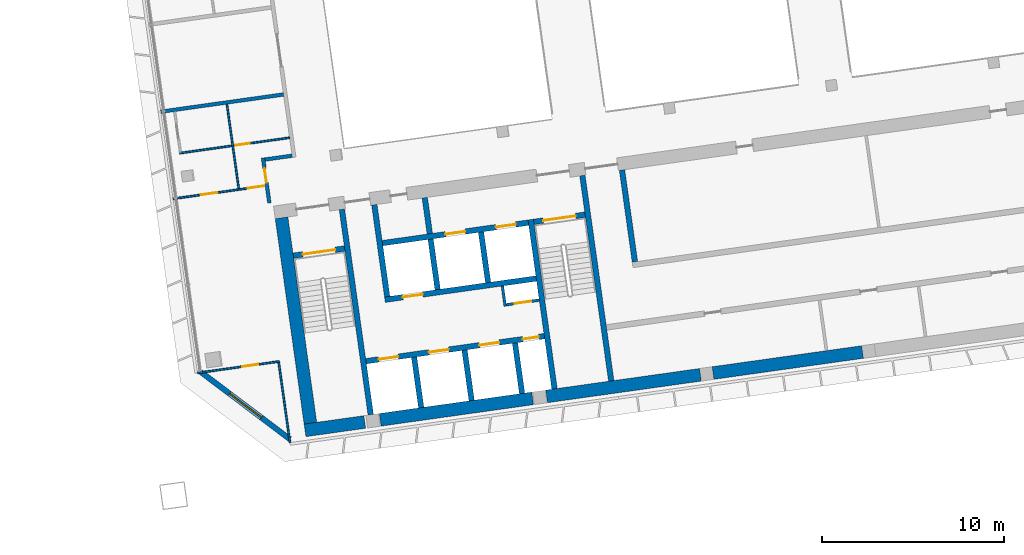
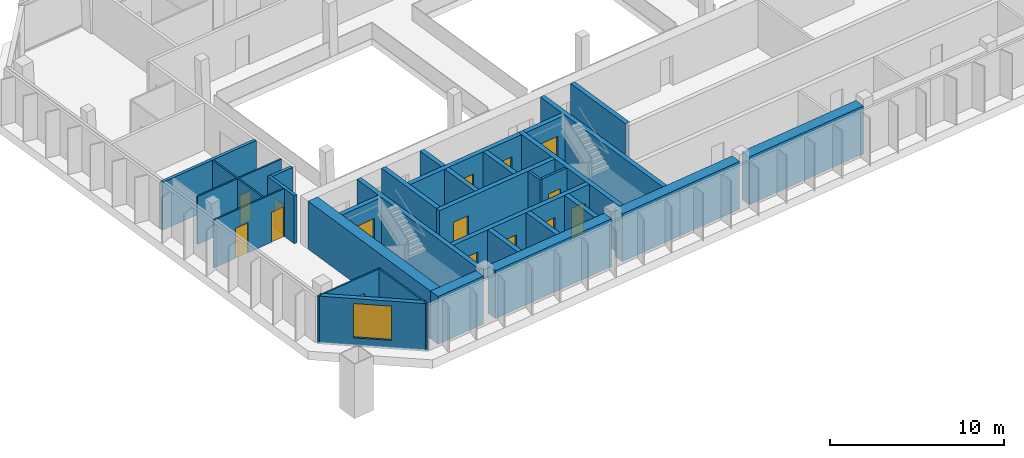
# One storey, part 22 of 32: 32 walls, 15 doors, 1 window, 16 openings.
"""IFC4 building model written with IfcOpenShell, lengths in metres."""

import ifcopenshell
import ifcopenshell.guid

model = None  # the IFC model being written
_history = None  # IfcOwnerHistory: only IFC2X3 demands one
_inside = {}  # id of a spatial element -> (the spatial element, [elements in it])
_under = {}  # id of a project, library or spatial element -> (it, [spatial elements below it])
_declared = {}  # id of a project -> (the project, [libraries it declares])
_typed = {}  # id of a type object -> (the type object, [elements of that type])
_made_of = {}  # id of a material, layer set ... -> (it, [elements and type objects made of it])


def new_model(schema):
    """Start an empty IFC model of exactly this schema.

    Asked for "IFC4X3", IfcOpenShell would pick the latest addendum, in which some entities
    have other attributes; the version numbers below select the first issue.
    IFC2X3 requires an IfcOwnerHistory on every rooted entity: one is made here for all.
    """
    global model, _history
    if schema == "IFC4X3":
        model = ifcopenshell.file(schema_version=(4, 3, 0, 0))
    else:
        model = ifcopenshell.file(schema=schema)
    _inside.clear()
    _under.clear()
    _declared.clear()
    _typed.clear()
    _made_of.clear()
    _history = None
    if model.schema == "IFC2X3":
        org = make("IfcOrganization", Name="unknown")
        user = make(
            "IfcPersonAndOrganization",
            ThePerson=make("IfcPerson", FamilyName="unknown"),
            TheOrganization=org,
        )
        app = make(
            "IfcApplication",
            ApplicationDeveloper=org,
            Version="unknown",
            ApplicationFullName="unknown",
            ApplicationIdentifier="unknown",
        )
        _history = make(
            "IfcOwnerHistory",
            OwningUser=user,
            OwningApplication=app,
            ChangeAction="ADDED",
            CreationDate=0,
        )
    return model


def make(cls, **values):
    """One entity of the class cls with the attributes given. An attribute that is None is left unset."""
    return model.create_entity(
        cls, **{name: value for name, value in values.items() if value is not None}
    )


def rooted(cls, **values):
    """An entity with a GlobalId (a new one), such as an element, a storey or a relation."""
    return make(cls, GlobalId=ifcopenshell.guid.new(), OwnerHistory=_history, **values)


def si_unit(unit_type, name, prefix=None):
    """IfcSIUnit, for example si_unit("LENGTHUNIT", "METRE", prefix="MILLI")."""
    return make("IfcSIUnit", UnitType=unit_type, Prefix=prefix, Name=name)


def assignment(units):
    """IfcUnitAssignment: the units of a project."""
    return None if units is None else make("IfcUnitAssignment", Units=units)


def point(xyz):
    """IfcCartesianPoint."""
    return None if xyz is None else make("IfcCartesianPoint", Coordinates=xyz)


def direction(xyz):
    """IfcDirection."""
    return None if xyz is None else make("IfcDirection", DirectionRatios=xyz)


def frame(location, z_axis=None, x_axis=None):
    """IfcAxis2Placement3D, a coordinate frame: its origin and axes. An axis left out is left unset."""
    return make(
        "IfcAxis2Placement3D",
        Location=point(location),
        Axis=direction(z_axis),
        RefDirection=direction(x_axis),
    )


def frame_2d(location, x_axis=None):
    """IfcAxis2Placement2D, a coordinate frame in the plane: its origin and x axis."""
    return make(
        "IfcAxis2Placement2D", Location=point(location), RefDirection=direction(x_axis)
    )


def origin():
    """The frame at (0, 0, 0) with its axes left unset."""
    return frame((0.0, 0.0, 0.0))


def place(relative_to, where):
    """IfcLocalPlacement: puts the frame where relative to a parent placement (None: the world)."""
    return make(
        "IfcLocalPlacement", PlacementRelTo=relative_to, RelativePlacement=where
    )


def context(
    kind, dimensions, precision=None, world=None, true_north=None, identifier=None
):
    """IfcGeometricRepresentationContext, for example the 3D "Model" context."""
    return make(
        "IfcGeometricRepresentationContext",
        ContextIdentifier=identifier,
        ContextType=kind,
        CoordinateSpaceDimension=dimensions,
        Precision=precision,
        WorldCoordinateSystem=world,
        TrueNorth=true_north,
    )


def subcontext(parent, identifier, kind, view, scale=None):
    """IfcGeometricRepresentationSubContext, for example "Body" below "Model"."""
    return make(
        "IfcGeometricRepresentationSubContext",
        ContextIdentifier=identifier,
        ContextType=kind,
        ParentContext=parent,
        TargetScale=scale,
        TargetView=view,
    )


def project(units=None, contexts=None):
    """IfcProject with its units and contexts."""
    return rooted(
        "IfcProject",
        Name="project",
        RepresentationContexts=contexts,
        UnitsInContext=assignment(units),
    )


def spatial(cls, under=None, at=None, **own):
    """A site, building, storey or space (cls), placed at a placement, below another one or the project."""
    s = rooted(cls, ObjectPlacement=at, **own)
    if under is not None:
        _under.setdefault(under.id(), (under, []))[1].append(s)
    return s


def profile(cls, at=None, kind="AREA", **sizes):
    """A parametric profile (cls). Its sizes go by their IFC names, for example OverallWidth=200.0."""
    return make(cls, ProfileType=kind, Position=at, **sizes)


def rectangle(**sizes):
    """IfcRectangleProfileDef."""
    return profile("IfcRectangleProfileDef", **sizes)


def extrude(swept, where, along, depth):
    """IfcExtrudedAreaSolid: the profile swept, set in the frame where, extruded along a direction by depth."""
    return make(
        "IfcExtrudedAreaSolid",
        SweptArea=swept,
        Position=where,
        ExtrudedDirection=direction(along),
        Depth=depth,
    )


def shape(context_of_items, identifier, shape_type, items):
    """IfcShapeRepresentation: the items that make up one representation, for example the "Body"."""
    return make(
        "IfcShapeRepresentation",
        ContextOfItems=context_of_items,
        RepresentationIdentifier=identifier,
        RepresentationType=shape_type,
        Items=items,
    )


def material(Name=None, Category=None):
    """IfcMaterial."""
    return make("IfcMaterial", Name=Name, Category=Category)


def layer(
    of_material, thickness, ventilated=None, Name=None, Category=None, Priority=None
):
    """IfcMaterialLayer: one layer of a wall or slab, of a material (None: an air gap)."""
    return make(
        "IfcMaterialLayer",
        Material=of_material,
        LayerThickness=thickness,
        IsVentilated=ventilated,
        Name=Name,
        Category=Category,
        Priority=Priority,
    )


def layer_set(layers, Name=None):
    """IfcMaterialLayerSet."""
    return make("IfcMaterialLayerSet", MaterialLayers=layers, LayerSetName=Name)


def made_of(thing, what):
    """Note that an element or type object is made of a material, layer set ...; save() writes the relation."""
    if what is not None:
        _made_of.setdefault(what.id(), (what, []))[1].append(thing)
    return thing


def type_object(cls, material=None, **own):
    """A type object (cls), such as IfcWallType, which elements share."""
    return made_of(rooted(cls, **own), material)


def element(
    cls,
    number,
    at=None,
    inside=None,
    cuts=None,
    type_object=None,
    material=None,
    context=None,
    identifier="Body",
    shape_type=None,
    held_by="IfcProductDefinitionShape",
    body=None,
    shapes=None,
    **own,
):
    """One element of the class cls, such as IfcWall. Its Tag is "e" and its number.

    at: its placement. inside: the storey or other place that contains it. cuts: it is an
    opening in that element (IfcRelVoidsElement). A single representation is given by context,
    identifier, shape_type and body (its items); several are given by shapes. held_by: the class
    of the entity that holds the representations. save() writes the other relations.
    """
    e = rooted(cls, Tag="e%d" % number, ObjectPlacement=at, **own)
    if body is not None:
        shapes = [shape(context, identifier, shape_type, body)]
    if shapes is not None:
        e.Representation = make(held_by, Representations=shapes)
    if inside is not None:
        _inside.setdefault(inside.id(), (inside, []))[1].append(e)
    if cuts is not None:
        rooted(
            "IfcRelVoidsElement", RelatingBuildingElement=cuts, RelatedOpeningElement=e
        )
    if type_object is not None:
        _typed.setdefault(type_object.id(), (type_object, []))[1].append(e)
    return made_of(e, material)


def fill(opening, filler):
    """IfcRelFillsElement: the door or window that sits in an opening."""
    return rooted(
        "IfcRelFillsElement",
        RelatingOpeningElement=opening,
        RelatedBuildingElement=filler,
    )


def aggregate(whole, parts):
    """IfcRelAggregates: a whole, such as a stair, and the parts it consists of."""
    return rooted("IfcRelAggregates", RelatingObject=whole, RelatedObjects=parts)


def save(model, path):
    """Write the relations noted so far, then the file.

    IfcRelAggregates (storeys below a building ...), IfcRelContainedInSpatialStructure (elements
    in a storey), IfcRelDefinesByType, IfcRelAssociatesMaterial and IfcRelDeclares: one each for
    every whole, place, type object, material and project.
    """
    for whole, parts in _under.values():
        aggregate(whole, parts)
    for where, things in _inside.values():
        rooted(
            "IfcRelContainedInSpatialStructure",
            RelatedElements=things,
            RelatingStructure=where,
        )
    for kind, things in _typed.values():
        rooted("IfcRelDefinesByType", RelatedObjects=things, RelatingType=kind)
    for what, things in _made_of.values():
        rooted("IfcRelAssociatesMaterial", RelatedObjects=things, RelatingMaterial=what)
    for by, libraries in _declared.values():
        rooted("IfcRelDeclares", RelatingContext=by, RelatedDefinitions=libraries)
    model.write(path)


model = new_model("IFC4")

# Units and contexts
model_context = context("Model", 3, precision=1e-05, world=origin(), true_north=direction((0.0, 1.0)))
body_context = subcontext(model_context, "Body", "Model", "MODEL_VIEW")
ifc_project = project(units=[si_unit("LENGTHUNIT", "METRE"), si_unit("AREAUNIT", "SQUARE_METRE"), si_unit("VOLUMEUNIT", "CUBIC_METRE"), si_unit("PLANEANGLEUNIT", "RADIAN"), si_unit("MASSUNIT", "GRAM", prefix="KILO")], contexts=[model_context])

# Site, building, storey
site_placement = place(None, origin())
site = spatial("IfcSite", under=ifc_project, at=site_placement, CompositionType="ELEMENT")
building_placement = place(site_placement, origin())
building = spatial("IfcBuilding", under=site, at=building_placement, Name="Mirante Cascada Hotel Towers", CompositionType="ELEMENT")
storey_placement = place(building_placement, frame((0.0, 0.0, 176.4)))
storey = spatial("IfcBuildingStorey", under=building, at=storey_placement, Name="L41", CompositionType="ELEMENT", Elevation=176.4)

# Walls
ifc_material_1 = material(Name="Fire-rated plasterboard on metal studs")
ifc_layer_1 = layer(ifc_material_1, 0.2)
ifc_layer_set_1 = layer_set([ifc_layer_1], Name="Compartment wall 200 EI 120")
wall_type_1 = type_object("IfcWallType", Name="Compartment wall 200 EI 120", PredefinedType="PARTITIONING", material=ifc_layer_set_1)
wall_1_placement = place(storey_placement, frame((35.0284, -4.7267, 0.0), z_axis=(0.0, 0.0, 1.0), x_axis=(0.9902735, 0.1391343, 0.0)))
element("IfcWall", 1, at=wall_1_placement, inside=storey, type_object=wall_type_1, Name="Wall 2-L41-06", PredefinedType="PARTITIONING", context=body_context, shape_type="SweptSolid", body=[
    extrude(rectangle(XDim=1.5, YDim=0.2, at=frame_2d((0.75, 0.0))), origin(), (0.0, 0.0, 1.0), 3.35),
])
wall_2_placement = place(storey_placement, frame((29.2967, -2.0988, 0.0), z_axis=(0.0, 0.0, 1.0), x_axis=(0.9902679, 0.1391741, 0.0)))
element("IfcWall", 2, at=wall_2_placement, inside=storey, type_object=wall_type_1, Name="Wall 2-L41-08", PredefinedType="PARTITIONING", context=body_context, shape_type="SweptSolid", body=[
    extrude(rectangle(XDim=6.8102, YDim=0.2, at=frame_2d((3.4051, 0.0))), origin(), (0.0, 0.0, 1.0), 3.35),
])

# Wall, opening, door
wall_3_placement = place(storey_placement, frame((34.9155, -4.6416, 0.0), z_axis=(0.0, 0.0, 1.0), x_axis=(0.1391586, -0.9902701, 0.0)))
wall_3 = element("IfcWall", 3, at=wall_3_placement, inside=storey, type_object=wall_type_1, Name="Wall 2-L41-33", PredefinedType="PARTITIONING", context=body_context, shape_type="SweptSolid", body=[
    extrude(rectangle(XDim=2.5, YDim=0.2, at=frame_2d((1.25, 0.0))), origin(), (0.0, 0.0, 1.0), 3.35),
])
opening_1_placement = place(wall_3_placement, frame((0.5833, 0.0, 0.0)))
opening_1 = element("IfcOpeningElement", 4, at=opening_1_placement, cuts=wall_3, Name="Opening D2-L41-25", PredefinedType="OPENING", context=body_context, shape_type="SweptSolid", body=[
    extrude(rectangle(XDim=0.8, YDim=2.1, at=frame_2d((0.4, 1.05))), frame((0.0, 0.1, 0.0), z_axis=(0.0, -1.0, 0.0), x_axis=(1.0, 0.0, 0.0)), (0.0, 0.0, 1.0), 0.2),
])
ifc_material_2 = material(Name="Fire-rated timber door leaf", Category="wood")
door_type_1 = type_object("IfcDoorType", Name="Bathroom door DG4 800x2100 EI 60", OperationType="SINGLE_SWING_LEFT", PredefinedType="DOOR", material=ifc_material_2)
door_1_placement = place(opening_1_placement, origin())
door_1 = element("IfcDoor", 5, at=door_1_placement, inside=storey, type_object=door_type_1, Name="Door D2-L41-25", OperationType="SINGLE_SWING_LEFT", OverallHeight=2.1, OverallWidth=0.8, PredefinedType="DOOR", context=body_context, shape_type="SweptSolid", body=[
    extrude(rectangle(XDim=0.8, YDim=2.1, at=frame_2d((0.4, 1.05))), frame((0.0, 0.025, 0.0), z_axis=(0.0, -1.0, 0.0), x_axis=(1.0, 0.0, 0.0)), (0.0, 0.0, 1.0), 0.05),
])
fill(opening_1, door_1)

# Wall
ifc_material_3 = material(Name="Masonry block", Category="masonry")
ifc_layer_2 = layer(ifc_material_3, 0.15)
ifc_layer_set_2 = layer_set([ifc_layer_2], Name="Core room partition 150 block EI 30")
wall_type_2 = type_object("IfcWallType", Name="Core room partition 150 block EI 30", PredefinedType="PARTITIONING", material=ifc_layer_set_2)
wall_4_placement = place(storey_placement, frame((48.2295, -12.793, 0.0), z_axis=(0.0, 0.0, 1.0), x_axis=(-0.1391935, 0.9902652, 0.0)))
element("IfcWall", 6, at=wall_4_placement, inside=storey, type_object=wall_type_2, Name="Core wall partition T2 L41 2", PredefinedType="PARTITIONING", context=body_context, shape_type="SweptSolid", body=[
    extrude(rectangle(XDim=1.1251, YDim=0.15, at=frame_2d((0.5626, 0.0))), origin(), (0.0, 0.0, 1.0), 3.35),
])

# Wall, opening, door
wall_5_placement = place(storey_placement, frame((48.2933, -12.7083, 0.0), z_axis=(0.0, 0.0, 1.0), x_axis=(0.990268, 0.1391734, 0.0)))
wall_5 = element("IfcWall", 7, at=wall_5_placement, inside=storey, type_object=wall_type_2, Name="Core wall partition T2 L41 3", PredefinedType="PARTITIONING", context=body_context, shape_type="SweptSolid", body=[
    extrude(rectangle(XDim=1.8251, YDim=0.15, at=frame_2d((0.9126, 0.0))), origin(), (0.0, 0.0, 1.0), 3.35),
])
opening_2_placement = place(wall_5_placement, frame((0.4625, 0.0, 0.0)))
opening_2 = element("IfcOpeningElement", 8, at=opening_2_placement, cuts=wall_5, Name="Opening D2-41-C17", PredefinedType="OPENING", context=body_context, shape_type="SweptSolid", body=[
    extrude(rectangle(XDim=0.9, YDim=2.1, at=frame_2d((0.45, 1.05))), frame((0.0, 0.075, 0.0), z_axis=(0.0, -1.0, 0.0), x_axis=(1.0, 0.0, 0.0)), (0.0, 0.0, 1.0), 0.15),
])
ifc_material_4 = material(Name="Hollow metal fire door leaf")
door_type_2 = type_object("IfcDoorType", Name="Fire door 900x2100 FD60", OperationType="NOTDEFINED", PredefinedType="DOOR", material=ifc_material_4)
door_2_placement = place(opening_2_placement, frame((0.9, 0.0, 0.0), z_axis=(0.0, 0.0, 1.0), x_axis=(-1.0, 0.0, 0.0)))
door_2 = element("IfcDoor", 9, at=door_2_placement, inside=storey, type_object=door_type_2, Name="Riser door T2 L41 17", OperationType="SINGLE_SWING_RIGHT", OverallHeight=2.1, OverallWidth=0.9, PredefinedType="DOOR", context=body_context, shape_type="SweptSolid", body=[
    extrude(rectangle(XDim=0.9, YDim=2.1, at=frame_2d((0.45, 1.05))), frame((0.0, 0.025, 0.0), z_axis=(0.0, -1.0, 0.0), x_axis=(1.0, 0.0, 0.0)), (0.0, 0.0, 1.0), 0.05),
])
fill(opening_2, door_2)

# Wall
ifc_material_5 = material(Name="Masonry block", Category="masonry")
ifc_layer_3 = layer(ifc_material_5, 0.3)
ifc_layer_set_3 = layer_set([ifc_layer_3], Name="Core wall 300 block EI 120")
wall_type_3 = type_object("IfcWallType", Name="Core wall 300 block EI 120", PredefinedType="PARTITIONING", material=ifc_layer_set_3)
wall_6_placement = place(storey_placement, frame((44.0843, -8.8061, 0.0), z_axis=(0.0, 0.0, 1.0), x_axis=(-0.1391951, 0.990265, 0.0)))
element("IfcWall", 10, at=wall_6_placement, inside=storey, type_object=wall_type_3, Name="Core wall partition T2 L41 1", PredefinedType="PARTITIONING", context=body_context, shape_type="SweptSolid", body=[
    extrude(rectangle(XDim=2.0001, YDim=0.3, at=frame_2d((1.0001, 0.0))), origin(), (0.0, 0.0, 1.0), 3.35),
])

# Wall, opening, door
ifc_material_6 = material(Name="Plasterboard on metal studs")
ifc_layer_4 = layer(ifc_material_6, 0.1)
ifc_layer_set_4 = layer_set([ifc_layer_4], Name="Partition 100")
wall_type_4 = type_object("IfcWallType", Name="Partition 100", PredefinedType="PARTITIONING", material=ifc_layer_set_4)
wall_7_placement = place(storey_placement, frame((35.8204, -15.8245, 0.0), z_axis=(0.0, 0.0, 1.0), x_axis=(-0.9902691, -0.1391656, 0.0)))
wall_7 = element("IfcWall", 11, at=wall_7_placement, inside=storey, type_object=wall_type_4, Name="Wall 2-L41-01", PredefinedType="PARTITIONING", context=body_context, shape_type="SweptSolid", body=[
    extrude(rectangle(XDim=4.55, YDim=0.1, at=frame_2d((2.275, 0.0))), origin(), (0.0, 0.0, 1.0), 3.35),
])
opening_3_placement = place(wall_7_placement, frame((1.1759, 0.0, 0.0)))
opening_3 = element("IfcOpeningElement", 12, at=opening_3_placement, cuts=wall_7, Name="Opening D2-L41-01", PredefinedType="OPENING", context=body_context, shape_type="SweptSolid", body=[
    extrude(rectangle(XDim=0.9, YDim=2.1, at=frame_2d((0.45, 1.05))), frame((0.0, 0.05, 0.0), z_axis=(0.0, -1.0, 0.0), x_axis=(1.0, 0.0, 0.0)), (0.0, 0.0, 1.0), 0.1),
])
ifc_material_7 = material(Name="Timber door leaf", Category="wood")
door_type_3 = type_object("IfcDoorType", Name="Room door DG3 900x2100", OperationType="SINGLE_SWING_LEFT", PredefinedType="DOOR", material=ifc_material_7)
door_3_placement = place(opening_3_placement, frame((0.9, 0.0, 0.0), z_axis=(0.0, 0.0, 1.0), x_axis=(-1.0, 0.0, 0.0)))
door_3 = element("IfcDoor", 13, at=door_3_placement, inside=storey, type_object=door_type_3, Name="Door D2-L41-01", OperationType="SINGLE_SWING_RIGHT", OverallHeight=2.1, OverallWidth=0.9, PredefinedType="DOOR", context=body_context, shape_type="SweptSolid", body=[
    extrude(rectangle(XDim=0.9, YDim=2.1, at=frame_2d((0.45, 1.05))), frame((0.0, 0.025, 0.0), z_axis=(0.0, -1.0, 0.0), x_axis=(1.0, 0.0, 0.0)), (0.0, 0.0, 1.0), 0.05),
])
fill(opening_3, door_3)

# Wall, openings, doors
wall_8_placement = place(storey_placement, frame((29.9694, -6.8851, 0.0), z_axis=(0.0, 0.0, 1.0), x_axis=(0.9902679, 0.1391745, 0.0)))
wall_8 = element("IfcWall", 14, at=wall_8_placement, inside=storey, type_object=wall_type_4, Name="Wall 2-L41-04", PredefinedType="PARTITIONING", context=body_context, shape_type="SweptSolid", body=[
    extrude(rectangle(XDim=5.1101, YDim=0.1, at=frame_2d((2.555, 0.0))), origin(), (0.0, 0.0, 1.0), 3.35),
])
opening_4_placement = place(wall_8_placement, frame((1.55, 0.0, 0.0)))
opening_4 = element("IfcOpeningElement", 15, at=opening_4_placement, cuts=wall_8, Name="Opening D2-L41-02", PredefinedType="OPENING", context=body_context, shape_type="SweptSolid", body=[
    extrude(rectangle(XDim=0.9, YDim=2.1, at=frame_2d((0.45, 1.05))), frame((0.0, 0.05, 0.0), z_axis=(0.0, -1.0, 0.0), x_axis=(1.0, 0.0, 0.0)), (0.0, 0.0, 1.0), 0.1),
])
opening_5_placement = place(wall_8_placement, frame((4.1602, 0.0, 0.0)))
opening_5 = element("IfcOpeningElement", 16, at=opening_5_placement, cuts=wall_8, Name="Opening D2-L41-03", PredefinedType="OPENING", context=body_context, shape_type="SweptSolid", body=[
    extrude(rectangle(XDim=0.9, YDim=2.1, at=frame_2d((0.45, 1.05))), frame((0.0, 0.05, 0.0), z_axis=(0.0, -1.0, 0.0), x_axis=(1.0, 0.0, 0.0)), (0.0, 0.0, 1.0), 0.1),
])
door_4_placement = place(opening_4_placement, frame((0.9, 0.0, 0.0), z_axis=(0.0, 0.0, 1.0), x_axis=(-1.0, 0.0, 0.0)))
door_4 = element("IfcDoor", 17, at=door_4_placement, inside=storey, type_object=door_type_3, Name="Door D2-L41-02", OperationType="SINGLE_SWING_RIGHT", OverallHeight=2.1, OverallWidth=0.9, PredefinedType="DOOR", context=body_context, shape_type="SweptSolid", body=[
    extrude(rectangle(XDim=0.9, YDim=2.1, at=frame_2d((0.45, 1.05))), frame((0.0, 0.025, 0.0), z_axis=(0.0, -1.0, 0.0), x_axis=(1.0, 0.0, 0.0)), (0.0, 0.0, 1.0), 0.05),
])
fill(opening_4, door_4)
door_5_placement = place(opening_5_placement, frame((0.9, 0.0, 0.0), z_axis=(0.0, 0.0, 1.0), x_axis=(-1.0, 0.0, 0.0)))
door_5 = element("IfcDoor", 18, at=door_5_placement, inside=storey, type_object=door_type_3, Name="Door D2-L41-03", OperationType="SINGLE_SWING_RIGHT", OverallHeight=2.1, OverallWidth=0.9, PredefinedType="DOOR", context=body_context, shape_type="SweptSolid", body=[
    extrude(rectangle(XDim=0.9, YDim=2.1, at=frame_2d((0.45, 1.05))), frame((0.0, 0.025, 0.0), z_axis=(0.0, -1.0, 0.0), x_axis=(1.0, 0.0, 0.0)), (0.0, 0.0, 1.0), 0.05),
])
fill(opening_5, door_5)

# Wall, opening, door
wall_9_placement = place(storey_placement, frame((36.3747, -3.5277, 0.0), z_axis=(0.0, 0.0, 1.0), x_axis=(-0.9902673, -0.1391783, 0.0)))
wall_9 = element("IfcWall", 19, at=wall_9_placement, inside=storey, type_object=wall_type_4, Name="Wall 2-L41-07", PredefinedType="PARTITIONING", context=body_context, shape_type="SweptSolid", body=[
    extrude(rectangle(XDim=6.1051, YDim=0.1, at=frame_2d((3.0526, 0.0))), origin(), (0.0, 0.0, 1.0), 3.35),
])
opening_6_placement = place(wall_9_placement, frame((2.2051, 0.0, 0.0)))
opening_6 = element("IfcOpeningElement", 20, at=opening_6_placement, cuts=wall_9, Name="Opening D2-L41-05", PredefinedType="OPENING", context=body_context, shape_type="SweptSolid", body=[
    extrude(rectangle(XDim=0.8, YDim=2.1, at=frame_2d((0.4, 1.05))), frame((0.0, 0.05, 0.0), z_axis=(0.0, -1.0, 0.0), x_axis=(1.0, 0.0, 0.0)), (0.0, 0.0, 1.0), 0.1),
])
ifc_material_8 = material(Name="Timber door leaf", Category="wood")
door_type_4 = type_object("IfcDoorType", Name="Bathroom door DG4 800x2100", OperationType="SINGLE_SWING_LEFT", PredefinedType="DOOR", material=ifc_material_8)
door_6_placement = place(opening_6_placement, frame((0.8, 0.0, 0.0), z_axis=(0.0, 0.0, 1.0), x_axis=(-1.0, 0.0, 0.0)))
door_6 = element("IfcDoor", 21, at=door_6_placement, inside=storey, type_object=door_type_4, Name="Door D2-L41-05", OperationType="SINGLE_SWING_RIGHT", OverallHeight=2.1, OverallWidth=0.8, PredefinedType="DOOR", context=body_context, shape_type="SweptSolid", body=[
    extrude(rectangle(XDim=0.8, YDim=2.1, at=frame_2d((0.4, 1.05))), frame((0.0, 0.025, 0.0), z_axis=(0.0, -1.0, 0.0), x_axis=(1.0, 0.0, 0.0)), (0.0, 0.0, 1.0), 0.05),
])
fill(opening_6, door_6)

# Walls
wall_10_placement = place(storey_placement, frame((33.5819, -6.3269, 0.0), z_axis=(0.0, 0.0, 1.0), x_axis=(-0.139155, 0.9902706, 0.0)))
element("IfcWall", 22, at=wall_10_placement, inside=storey, type_object=wall_type_4, Name="Wall 2-L41-30", PredefinedType="PARTITIONING", context=body_context, shape_type="SweptSolid", body=[
    extrude(rectangle(XDim=4.6833, YDim=0.1, at=frame_2d((2.3416, 0.0))), origin(), (0.0, 0.0, 1.0), 3.35),
])
wall_11_placement = place(storey_placement, frame((36.3972, -20.2877, 0.0), z_axis=(0.0, 0.0, 1.0), x_axis=(-0.1391684, 0.9902687, 0.0)))
element("IfcWall", 23, at=wall_11_placement, inside=storey, type_object=wall_type_4, Name="Wall 2-L41-32", PredefinedType="PARTITIONING", context=body_context, shape_type="SweptSolid", body=[
    extrude(rectangle(XDim=4.45, YDim=0.1, at=frame_2d((2.225, 0.0))), origin(), (0.0, 0.0, 1.0), 3.35),
])

# Wall, opening, window
ifc_material_9 = material(Name="Precast concrete C40/50", Category="concrete")
ifc_layer_5 = layer(ifc_material_9, 0.3)
ifc_layer_set_5 = layer_set([ifc_layer_5], Name="Precast concrete C40/50 cladding wall 300")
wall_type_5 = type_object("IfcWallType", Name="Precast concrete C40/50 cladding wall 300", PredefinedType="STANDARD", material=ifc_layer_set_5)
wall_12_placement = place(storey_placement, frame((31.5041, -16.4126, 0.0), z_axis=(0.0, 0.0, 1.0), x_axis=(0.7986343, -0.6018167, 0.0)))
wall_12 = element("IfcWall", 24, at=wall_12_placement, inside=storey, type_object=wall_type_5, Name="Corner cladding wall T2 L41 inner rear", PredefinedType="STANDARD", context=body_context, shape_type="SweptSolid", body=[
    extrude(rectangle(XDim=6.1158, YDim=0.3, at=frame_2d((3.0579, 0.0))), origin(), (0.0, 0.0, 1.0), 3.35),
])
opening_7_placement = place(wall_12_placement, frame((1.9578, 0.0, 0.6)))
opening_7 = element("IfcOpeningElement", 25, at=opening_7_placement, cuts=wall_12, Name="Opening W2-41-04", PredefinedType="OPENING", context=body_context, shape_type="SweptSolid", body=[
    extrude(rectangle(XDim=2.2, YDim=2.4, at=frame_2d((1.1, 1.2))), frame((0.0, 0.15, 0.0), z_axis=(0.0, -1.0, 0.0), x_axis=(1.0, 0.0, 0.0)), (0.0, 0.0, 1.0), 0.3),
])
ifc_material_10 = material(Name="Aluminium frame with clear double glazing", Category="aluminium")
window_type = type_object("IfcWindowType", Name="Corner suite window 2200x2400", PartitioningType="DOUBLE_PANEL_VERTICAL", PredefinedType="WINDOW", material=ifc_material_10)
window_placement = place(opening_7_placement, origin())
window = element("IfcWindow", 26, at=window_placement, inside=storey, type_object=window_type, Name="Window W2-41-04", OverallHeight=2.4, OverallWidth=2.2, PartitioningType="SINGLE_PANEL", PredefinedType="WINDOW", context=body_context, shape_type="SweptSolid", body=[
    extrude(rectangle(XDim=2.2, YDim=2.4, at=frame_2d((1.1, 1.2))), frame((0.0, 0.03, 0.0), z_axis=(0.0, -1.0, 0.0), x_axis=(1.0, 0.0, 0.0)), (0.0, 0.0, 1.0), 0.06),
])
fill(opening_7, window)

# Walls
ifc_material_11 = material(Name="Concrete C50/60", Category="concrete")
ifc_layer_6 = layer(ifc_material_11, 0.3)
ifc_layer_set_6 = layer_set([ifc_layer_6], Name="RC core wall 300 C50/60")
wall_type_6 = type_object("IfcWallType", Name="RC core wall 300 C50/60", PredefinedType="SHEAR", material=ifc_layer_set_6)
wall_13_placement = place(storey_placement, frame((40.8373, -18.7548, 0.0), z_axis=(0.0, 0.0, 1.0), x_axis=(-0.1391749, 0.9902678, 0.0)))
element("IfcWall", 27, at=wall_13_placement, inside=storey, type_object=wall_type_6, Name="Core wall T2:L41:5", PredefinedType="SHEAR", context=body_context, shape_type="SweptSolid", body=[
    extrude(rectangle(XDim=11.4, YDim=0.3, at=frame_2d((5.7, 0.0))), origin(), (0.0, 0.0, 1.0), 3.35),
])
wall_14_placement = place(storey_placement, frame((50.938, -17.3352, 0.0), z_axis=(0.0, 0.0, 1.0), x_axis=(-0.1391706, 0.9902684, 0.0)))
element("IfcWall", 28, at=wall_14_placement, inside=storey, type_object=wall_type_6, Name="Core wall T2:L41:6", PredefinedType="SHEAR", context=body_context, shape_type="SweptSolid", body=[
    extrude(rectangle(XDim=9.4, YDim=0.3, at=frame_2d((4.7, 0.0))), origin(), (0.0, 0.0, 1.0), 3.35),
])
wall_15_placement = place(storey_placement, frame((54.0574, -16.8968, 0.0), z_axis=(0.0, 0.0, 1.0), x_axis=(-0.1391761, 0.9902677, 0.0)))
element("IfcWall", 29, at=wall_15_placement, inside=storey, type_object=wall_type_6, Name="Core wall T2:L41:7", PredefinedType="SHEAR", context=body_context, shape_type="SweptSolid", body=[
    extrude(rectangle(XDim=11.3999, YDim=0.3, at=frame_2d((5.7, 0.0))), origin(), (0.0, 0.0, 1.0), 3.35),
])

# Wall, opening, door
wall_16_placement = place(storey_placement, frame((36.5791, -10.0123, 0.0), z_axis=(0.0, 0.0, 1.0), x_axis=(0.9902704, 0.1391564, 0.0)))
wall_16 = element("IfcWall", 30, at=wall_16_placement, inside=storey, type_object=wall_type_6, Name="Core wall T2:L41:9", PredefinedType="SHEAR", context=body_context, shape_type="SweptSolid", body=[
    extrude(rectangle(XDim=2.85, YDim=0.3, at=frame_2d((1.425, 0.0))), origin(), (0.0, 0.0, 1.0), 3.35),
])
opening_8_placement = place(wall_16_placement, frame((0.525, 0.0, 0.0)))
opening_8 = element("IfcOpeningElement", 31, at=opening_8_placement, cuts=wall_16, Name="Opening D2-41-C07", PredefinedType="OPENING", context=body_context, shape_type="SweptSolid", body=[
    extrude(rectangle(XDim=1.8, YDim=2.1, at=frame_2d((0.9, 1.05))), frame((0.0, 0.15, 0.0), z_axis=(0.0, -1.0, 0.0), x_axis=(1.0, 0.0, 0.0)), (0.0, 0.0, 1.0), 0.3),
])
ifc_material_12 = material(Name="Hollow metal fire door leaf")
door_type_5 = type_object("IfcDoorType", Name="Double fire door 1800x2100 FD60", OperationType="DOUBLE_DOOR_SINGLE_SWING", PredefinedType="DOOR", material=ifc_material_12)
door_7_placement = place(opening_8_placement, frame((1.8, 0.0, 0.0), z_axis=(0.0, 0.0, 1.0), x_axis=(-1.0, 0.0, 0.0)))
door_7 = element("IfcDoor", 32, at=door_7_placement, inside=storey, type_object=door_type_5, Name="Stair door T2 L41 7", OperationType="DOUBLE_DOOR_SINGLE_SWING", OverallHeight=2.1, OverallWidth=1.8, PredefinedType="DOOR", context=body_context, shape_type="SweptSolid", body=[
    extrude(rectangle(XDim=0.895, YDim=2.1, at=frame_2d((0.4475, 1.05))), frame((0.0, 0.025, 0.0), z_axis=(0.0, -1.0, 0.0), x_axis=(1.0, 0.0, 0.0)), (0.0, 0.0, 1.0), 0.05),
    extrude(rectangle(XDim=0.895, YDim=2.1, at=frame_2d((1.3525, 1.05))), frame((0.0, 0.025, 0.0), z_axis=(0.0, -1.0, 0.0), x_axis=(1.0, 0.0, 0.0)), (0.0, 0.0, 1.0), 0.05),
])
fill(opening_8, door_7)

wall_17_placement = place(storey_placement, frame((49.7992, -8.1544, 0.0), z_axis=(0.0, 0.0, 1.0), x_axis=(0.9902656, 0.1391909, 0.0)))
wall_17 = element("IfcWall", 33, at=wall_17_placement, inside=storey, type_object=wall_type_6, Name="Core wall T2:L41:10", PredefinedType="SHEAR", context=body_context, shape_type="SweptSolid", body=[
    extrude(rectangle(XDim=2.85, YDim=0.3, at=frame_2d((1.425, 0.0))), origin(), (0.0, 0.0, 1.0), 3.35),
])
opening_9_placement = place(wall_17_placement, frame((0.525, 0.0, 0.0)))
opening_9 = element("IfcOpeningElement", 34, at=opening_9_placement, cuts=wall_17, Name="Opening D2-41-C09", PredefinedType="OPENING", context=body_context, shape_type="SweptSolid", body=[
    extrude(rectangle(XDim=1.8, YDim=2.1, at=frame_2d((0.9, 1.05))), frame((0.0, 0.15, 0.0), z_axis=(0.0, -1.0, 0.0), x_axis=(1.0, 0.0, 0.0)), (0.0, 0.0, 1.0), 0.3),
])
door_8_placement = place(opening_9_placement, frame((1.8, 0.0, 0.0), z_axis=(0.0, 0.0, 1.0), x_axis=(-1.0, 0.0, 0.0)))
door_8 = element("IfcDoor", 35, at=door_8_placement, inside=storey, type_object=door_type_5, Name="Stair door T2 L41 9", OperationType="DOUBLE_DOOR_SINGLE_SWING", OverallHeight=2.1, OverallWidth=1.8, PredefinedType="DOOR", context=body_context, shape_type="SweptSolid", body=[
    extrude(rectangle(XDim=0.895, YDim=2.1, at=frame_2d((0.4475, 1.05))), frame((0.0, 0.025, 0.0), z_axis=(0.0, -1.0, 0.0), x_axis=(1.0, 0.0, 0.0)), (0.0, 0.0, 1.0), 0.05),
    extrude(rectangle(XDim=0.895, YDim=2.1, at=frame_2d((1.3525, 1.05))), frame((0.0, 0.025, 0.0), z_axis=(0.0, -1.0, 0.0), x_axis=(1.0, 0.0, 0.0)), (0.0, 0.0, 1.0), 0.05),
])
fill(opening_9, door_8)

# Wall, openings, doors
wall_18_placement = place(storey_placement, frame((40.5753, -15.8126, 0.0), z_axis=(0.0, 0.0, 1.0), x_axis=(0.9902682, 0.1391725, 0.0)))
wall_18 = element("IfcWall", 36, at=wall_18_placement, inside=storey, type_object=wall_type_6, Name="Core wall T2:L41:12", PredefinedType="SHEAR", context=body_context, shape_type="SweptSolid", body=[
    extrude(rectangle(XDim=9.8999, YDim=0.3, at=frame_2d((4.95, 0.0))), origin(), (0.0, 0.0, 1.0), 3.35),
])
opening_10_placement = place(wall_18_placement, frame((0.7, 0.0, 0.0)))
opening_10 = element("IfcOpeningElement", 37, at=opening_10_placement, cuts=wall_18, Name="Opening LD", PredefinedType="OPENING", context=body_context, shape_type="SweptSolid", body=[
    extrude(rectangle(XDim=1.1, YDim=2.1, at=frame_2d((0.55, 1.05))), frame((0.0, 0.15, 0.0), z_axis=(0.0, -1.0, 0.0), x_axis=(1.0, 0.0, 0.0)), (0.0, 0.0, 1.0), 0.3),
])
opening_11_placement = place(wall_18_placement, frame((3.5, 0.0, 0.0)))
opening_11 = element("IfcOpeningElement", 38, at=opening_11_placement, cuts=wall_18, Name="Opening LD", PredefinedType="OPENING", context=body_context, shape_type="SweptSolid", body=[
    extrude(rectangle(XDim=1.1, YDim=2.1, at=frame_2d((0.55, 1.05))), frame((0.0, 0.15, 0.0), z_axis=(0.0, -1.0, 0.0), x_axis=(1.0, 0.0, 0.0)), (0.0, 0.0, 1.0), 0.3),
])
opening_12_placement = place(wall_18_placement, frame((6.3, 0.0, 0.0)))
opening_12 = element("IfcOpeningElement", 39, at=opening_12_placement, cuts=wall_18, Name="Opening LD", PredefinedType="OPENING", context=body_context, shape_type="SweptSolid", body=[
    extrude(rectangle(XDim=1.1, YDim=2.1, at=frame_2d((0.55, 1.05))), frame((0.0, 0.15, 0.0), z_axis=(0.0, -1.0, 0.0), x_axis=(1.0, 0.0, 0.0)), (0.0, 0.0, 1.0), 0.3),
])
opening_13_placement = place(wall_18_placement, frame((8.7, 0.0, 0.0)))
opening_13 = element("IfcOpeningElement", 40, at=opening_13_placement, cuts=wall_18, Name="Opening D2-41-C16", PredefinedType="OPENING", context=body_context, shape_type="SweptSolid", body=[
    extrude(rectangle(XDim=0.9, YDim=2.1, at=frame_2d((0.45, 1.05))), frame((0.0, 0.15, 0.0), z_axis=(0.0, -1.0, 0.0), x_axis=(1.0, 0.0, 0.0)), (0.0, 0.0, 1.0), 0.3),
])
door_9_placement = place(opening_13_placement, frame((0.9, 0.0, 0.0), z_axis=(0.0, 0.0, 1.0), x_axis=(-1.0, 0.0, 0.0)))
door_9 = element("IfcDoor", 41, at=door_9_placement, inside=storey, type_object=door_type_2, Name="Riser door T2 L41 16", OperationType="SINGLE_SWING_RIGHT", OverallHeight=2.1, OverallWidth=0.9, PredefinedType="DOOR", context=body_context, shape_type="SweptSolid", body=[
    extrude(rectangle(XDim=0.9, YDim=2.1, at=frame_2d((0.45, 1.05))), frame((0.0, 0.025, 0.0), z_axis=(0.0, -1.0, 0.0), x_axis=(1.0, 0.0, 0.0)), (0.0, 0.0, 1.0), 0.05),
])
fill(opening_13, door_9)
ifc_material_13 = material(Name="Stainless steel", Category="steel")
door_type_6 = type_object("IfcDoorType", Name="Lift landing door 1100x2100 EI 120", OperationType="DOUBLE_DOOR_SLIDING", PredefinedType="DOOR", material=ifc_material_13)
door_10_placement = place(opening_10_placement, origin())
door_10 = element("IfcDoor", 42, at=door_10_placement, inside=storey, type_object=door_type_6, Name="Lift landing door HR2-1 L41", OperationType="DOUBLE_DOOR_SLIDING", OverallHeight=2.1, OverallWidth=1.1, PredefinedType="DOOR", context=body_context, shape_type="SweptSolid", body=[
    extrude(rectangle(XDim=0.545, YDim=2.1, at=frame_2d((0.2725, 1.05))), frame((0.0, 0.025, 0.0), z_axis=(0.0, -1.0, 0.0), x_axis=(1.0, 0.0, 0.0)), (0.0, 0.0, 1.0), 0.05),
    extrude(rectangle(XDim=0.545, YDim=2.1, at=frame_2d((0.8275, 1.05))), frame((0.0, 0.025, 0.0), z_axis=(0.0, -1.0, 0.0), x_axis=(1.0, 0.0, 0.0)), (0.0, 0.0, 1.0), 0.05),
])
fill(opening_10, door_10)
door_11_placement = place(opening_11_placement, origin())
door_11 = element("IfcDoor", 43, at=door_11_placement, inside=storey, type_object=door_type_6, Name="Lift landing door HR2-2 L41", OperationType="DOUBLE_DOOR_SLIDING", OverallHeight=2.1, OverallWidth=1.1, PredefinedType="DOOR", context=body_context, shape_type="SweptSolid", body=[
    extrude(rectangle(XDim=0.545, YDim=2.1, at=frame_2d((0.2725, 1.05))), frame((0.0, 0.025, 0.0), z_axis=(0.0, -1.0, 0.0), x_axis=(1.0, 0.0, 0.0)), (0.0, 0.0, 1.0), 0.05),
    extrude(rectangle(XDim=0.545, YDim=2.1, at=frame_2d((0.8275, 1.05))), frame((0.0, 0.025, 0.0), z_axis=(0.0, -1.0, 0.0), x_axis=(1.0, 0.0, 0.0)), (0.0, 0.0, 1.0), 0.05),
])
fill(opening_11, door_11)
door_12_placement = place(opening_12_placement, origin())
door_12 = element("IfcDoor", 44, at=door_12_placement, inside=storey, type_object=door_type_6, Name="Lift landing door HR2-3 L41", OperationType="DOUBLE_DOOR_SLIDING", OverallHeight=2.1, OverallWidth=1.1, PredefinedType="DOOR", context=body_context, shape_type="SweptSolid", body=[
    extrude(rectangle(XDim=0.545, YDim=2.1, at=frame_2d((0.2725, 1.05))), frame((0.0, 0.025, 0.0), z_axis=(0.0, -1.0, 0.0), x_axis=(1.0, 0.0, 0.0)), (0.0, 0.0, 1.0), 0.05),
    extrude(rectangle(XDim=0.545, YDim=2.1, at=frame_2d((0.8275, 1.05))), frame((0.0, 0.025, 0.0), z_axis=(0.0, -1.0, 0.0), x_axis=(1.0, 0.0, 0.0)), (0.0, 0.0, 1.0), 0.05),
])
fill(opening_12, door_12)

# Wall, opening, door
wall_19_placement = place(storey_placement, frame((41.6153, -12.435, 0.0), z_axis=(0.0, 0.0, 1.0), x_axis=(0.9902691, 0.139166, 0.0)))
wall_19 = element("IfcWall", 45, at=wall_19_placement, inside=storey, type_object=wall_type_6, Name="Core wall T2:L41:13", PredefinedType="SHEAR", context=body_context, shape_type="SweptSolid", body=[
    extrude(rectangle(XDim=8.4, YDim=0.3, at=frame_2d((4.2, 0.0))), origin(), (0.0, 0.0, 1.0), 3.35),
])
opening_14_placement = place(wall_19_placement, frame((1.0, 0.0, 0.0)))
opening_14 = element("IfcOpeningElement", 46, at=opening_14_placement, cuts=wall_19, Name="Opening LD", PredefinedType="OPENING", context=body_context, shape_type="SweptSolid", body=[
    extrude(rectangle(XDim=1.1, YDim=2.1, at=frame_2d((0.55, 1.05))), frame((0.0, 0.15, 0.0), z_axis=(0.0, -1.0, 0.0), x_axis=(1.0, 0.0, 0.0)), (0.0, 0.0, 1.0), 0.3),
])
door_13_placement = place(opening_14_placement, origin())
door_13 = element("IfcDoor", 47, at=door_13_placement, inside=storey, type_object=door_type_6, Name="Lift landing door HR2-4 L41", OperationType="DOUBLE_DOOR_SLIDING", OverallHeight=2.1, OverallWidth=1.1, PredefinedType="DOOR", context=body_context, shape_type="SweptSolid", body=[
    extrude(rectangle(XDim=0.545, YDim=2.1, at=frame_2d((0.2725, 1.05))), frame((0.0, 0.025, 0.0), z_axis=(0.0, -1.0, 0.0), x_axis=(1.0, 0.0, 0.0)), (0.0, 0.0, 1.0), 0.05),
    extrude(rectangle(XDim=0.545, YDim=2.1, at=frame_2d((0.8275, 1.05))), frame((0.0, 0.025, 0.0), z_axis=(0.0, -1.0, 0.0), x_axis=(1.0, 0.0, 0.0)), (0.0, 0.0, 1.0), 0.05),
])
fill(opening_14, door_13)

# Wall, openings, doors
wall_20_placement = place(storey_placement, frame((41.481, -9.3234, 0.0), z_axis=(0.0, 0.0, 1.0), x_axis=(0.9902679, 0.1391741, 0.0)))
wall_20 = element("IfcWall", 48, at=wall_20_placement, inside=storey, type_object=wall_type_6, Name="Core wall T2:L41:14", PredefinedType="SHEAR", context=body_context, shape_type="SweptSolid", body=[
    extrude(rectangle(XDim=8.0999, YDim=0.3, at=frame_2d((4.05, 0.0))), origin(), (0.0, 0.0, 1.0), 3.35),
])
opening_15_placement = place(wall_20_placement, frame((3.5, 0.0, 0.0)))
opening_15 = element("IfcOpeningElement", 49, at=opening_15_placement, cuts=wall_20, Name="Opening LD", PredefinedType="OPENING", context=body_context, shape_type="SweptSolid", body=[
    extrude(rectangle(XDim=1.1, YDim=2.1, at=frame_2d((0.55, 1.05))), frame((0.0, 0.15, 0.0), z_axis=(0.0, -1.0, 0.0), x_axis=(1.0, 0.0, 0.0)), (0.0, 0.0, 1.0), 0.3),
])
opening_16_placement = place(wall_20_placement, frame((6.3, 0.0, 0.0)))
opening_16 = element("IfcOpeningElement", 50, at=opening_16_placement, cuts=wall_20, Name="Opening LD", PredefinedType="OPENING", context=body_context, shape_type="SweptSolid", body=[
    extrude(rectangle(XDim=1.1, YDim=2.1, at=frame_2d((0.55, 1.05))), frame((0.0, 0.15, 0.0), z_axis=(0.0, -1.0, 0.0), x_axis=(1.0, 0.0, 0.0)), (0.0, 0.0, 1.0), 0.3),
])
door_14_placement = place(opening_15_placement, origin())
door_14 = element("IfcDoor", 51, at=door_14_placement, inside=storey, type_object=door_type_6, Name="Lift landing door FF3 L41", OperationType="DOUBLE_DOOR_SLIDING", OverallHeight=2.1, OverallWidth=1.1, PredefinedType="DOOR", context=body_context, shape_type="SweptSolid", body=[
    extrude(rectangle(XDim=0.545, YDim=2.1, at=frame_2d((0.2725, 1.05))), frame((0.0, 0.025, 0.0), z_axis=(0.0, -1.0, 0.0), x_axis=(1.0, 0.0, 0.0)), (0.0, 0.0, 1.0), 0.05),
    extrude(rectangle(XDim=0.545, YDim=2.1, at=frame_2d((0.8275, 1.05))), frame((0.0, 0.025, 0.0), z_axis=(0.0, -1.0, 0.0), x_axis=(1.0, 0.0, 0.0)), (0.0, 0.0, 1.0), 0.05),
])
fill(opening_15, door_14)
door_15_placement = place(opening_16_placement, origin())
door_15 = element("IfcDoor", 52, at=door_15_placement, inside=storey, type_object=door_type_6, Name="Lift landing door FF4 L41", OperationType="DOUBLE_DOOR_SLIDING", OverallHeight=2.1, OverallWidth=1.1, PredefinedType="DOOR", context=body_context, shape_type="SweptSolid", body=[
    extrude(rectangle(XDim=0.545, YDim=2.1, at=frame_2d((0.2725, 1.05))), frame((0.0, 0.025, 0.0), z_axis=(0.0, -1.0, 0.0), x_axis=(1.0, 0.0, 0.0)), (0.0, 0.0, 1.0), 0.05),
    extrude(rectangle(XDim=0.545, YDim=2.1, at=frame_2d((0.8275, 1.05))), frame((0.0, 0.025, 0.0), z_axis=(0.0, -1.0, 0.0), x_axis=(1.0, 0.0, 0.0)), (0.0, 0.0, 1.0), 0.05),
])
fill(opening_16, door_15)

# Walls
wall_21_placement = place(storey_placement, frame((43.61, -18.3651, 0.0), z_axis=(0.0, 0.0, 1.0), x_axis=(-0.1391459, 0.9902719, 0.0)))
element("IfcWall", 53, at=wall_21_placement, inside=storey, type_object=wall_type_6, Name="Core wall T2:L41:15", PredefinedType="SHEAR", context=body_context, shape_type="SweptSolid", body=[
    extrude(rectangle(XDim=2.7999, YDim=0.3, at=frame_2d((1.4, 0.0))), origin(), (0.0, 0.0, 1.0), 3.35),
])
wall_22_placement = place(storey_placement, frame((46.3828, -17.9754, 0.0), z_axis=(0.0, 0.0, 1.0), x_axis=(-0.139181, 0.990267, 0.0)))
element("IfcWall", 54, at=wall_22_placement, inside=storey, type_object=wall_type_6, Name="Core wall T2:L41:16", PredefinedType="SHEAR", context=body_context, shape_type="SweptSolid", body=[
    extrude(rectangle(XDim=2.8, YDim=0.3, at=frame_2d((1.4, 0.0))), origin(), (0.0, 0.0, 1.0), 3.35),
])
wall_23_placement = place(storey_placement, frame((49.1555, -17.5857, 0.0), z_axis=(0.0, 0.0, 1.0), x_axis=(-0.1391459, 0.9902719, 0.0)))
element("IfcWall", 55, at=wall_23_placement, inside=storey, type_object=wall_type_6, Name="Core wall T2:L41:17", PredefinedType="SHEAR", context=body_context, shape_type="SweptSolid", body=[
    extrude(rectangle(XDim=2.7999, YDim=0.3, at=frame_2d((1.4, 0.0))), origin(), (0.0, 0.0, 1.0), 3.35),
])
for number, where, z_axis, x_axis, name in (
    (56, (44.5157, -11.8759, 0.0), (0.0, 0.0, 1.0), (-0.139181, 0.990267, 0.0), "Core wall T2:L41:18"),
    (57, (47.2885, -11.4862, 0.0), (0.0, 0.0, 1.0), (-0.139181, 0.990267, 0.0), "Core wall T2:L41:19"),
):
    element("IfcWall", number, at=place(storey_placement, frame(where, z_axis=z_axis, x_axis=x_axis)), inside=storey, type_object=wall_type_6, Name=name, PredefinedType="SHEAR", context=body_context, shape_type="SweptSolid", body=[
        extrude(rectangle(XDim=2.8, YDim=0.3, at=frame_2d((1.4, 0.0))), origin(), (0.0, 0.0, 1.0), 3.35),
    ])
for number, where, z_axis, x_axis, name in (
    (58, (41.743, -12.2656, 0.0), (0.0, 0.0, 1.0), (-0.1391755, 0.9902677, 0.0), "Core wall T2:L41:20"),
    (59, (55.3592, -10.352, 0.0), (0.0, 0.0, 1.0), (-0.1391755, 0.9902677, 0.0), "Core wall T2:L41:29"),
):
    element("IfcWall", number, at=place(storey_placement, frame(where, z_axis=z_axis, x_axis=x_axis)), inside=storey, type_object=wall_type_6, Name=name, PredefinedType="SHEAR", context=body_context, shape_type="SweptSolid", body=[
        extrude(rectangle(XDim=5.1, YDim=0.3, at=frame_2d((2.55, 0.0))), origin(), (0.0, 0.0, 1.0), 3.35),
    ])
ifc_material_14 = material(Name="Concrete C50/60", Category="concrete")
ifc_layer_7 = layer(ifc_material_14, 0.7)
ifc_layer_set_7 = layer_set([ifc_layer_7], Name="RC core wall 700 C50/60")
wall_type_7 = type_object("IfcWallType", Name="RC core wall 700 C50/60", PredefinedType="SHEAR", material=ifc_layer_set_7)
wall_24_placement = place(storey_placement, frame((37.222, -19.6163, 0.0), z_axis=(0.0, 0.0, 1.0), x_axis=(0.9902712, 0.1391509, 0.0)))
element("IfcWall", 60, at=wall_24_placement, inside=storey, type_object=wall_type_7, Name="Core wall T2:L41:1.1", PredefinedType="SHEAR", context=body_context, shape_type="SweptSolid", body=[
    extrude(rectangle(XDim=3.318, YDim=0.7, at=frame_2d((1.659, 0.0))), origin(), (0.0, 0.0, 1.0), 3.35),
])
wall_25_placement = place(storey_placement, frame((41.3579, -19.0351, 0.0), z_axis=(0.0, 0.0, 1.0), x_axis=(0.9902671, 0.1391796, 0.0)))
element("IfcWall", 61, at=wall_25_placement, inside=storey, type_object=wall_type_7, Name="Core wall T2:L41:1.2", PredefinedType="SHEAR", context=body_context, shape_type="SweptSolid", body=[
    extrude(rectangle(XDim=8.4574, YDim=0.7, at=frame_2d((4.2287, 0.0))), origin(), (0.0, 0.0, 1.0), 3.35),
])
wall_26_placement = place(storey_placement, frame((50.5047, -17.7496, 0.0), z_axis=(0.0, 0.0, 1.0), x_axis=(0.9902679, 0.1391742, 0.0)))
element("IfcWall", 62, at=wall_26_placement, inside=storey, type_object=wall_type_7, Name="Core wall T2:L41:1.3", PredefinedType="SHEAR", context=body_context, shape_type="SweptSolid", body=[
    extrude(rectangle(XDim=8.5368, YDim=0.7, at=frame_2d((4.2684, 0.0))), origin(), (0.0, 0.0, 1.0), 3.35),
])
wall_27_placement = place(storey_placement, frame((59.6516, -16.4641, 0.0), z_axis=(0.0, 0.0, 1.0), x_axis=(0.990267, 0.139181, 0.0)))
element("IfcWall", 63, at=wall_27_placement, inside=storey, type_object=wall_type_7, Name="Core wall T2:L41:1.4", PredefinedType="SHEAR", context=body_context, shape_type="SweptSolid", body=[
    extrude(rectangle(XDim=8.3, YDim=0.7, at=frame_2d((4.15, 0.0))), origin(), (0.0, 0.0, 1.0), 3.35),
])
wall_28_placement = place(storey_placement, frame((37.5199, -19.221, 0.0), z_axis=(0.0, 0.0, 1.0), x_axis=(-0.1391761, 0.9902677, 0.0)))
element("IfcWall", 64, at=wall_28_placement, inside=storey, type_object=wall_type_7, Name="Core wall T2:L41:3", PredefinedType="SHEAR", context=body_context, shape_type="SweptSolid", body=[
    extrude(rectangle(XDim=11.3999, YDim=0.7, at=frame_2d((5.7, 0.0))), origin(), (0.0, 0.0, 1.0), 3.35),
])

save(model, "model.ifc")
